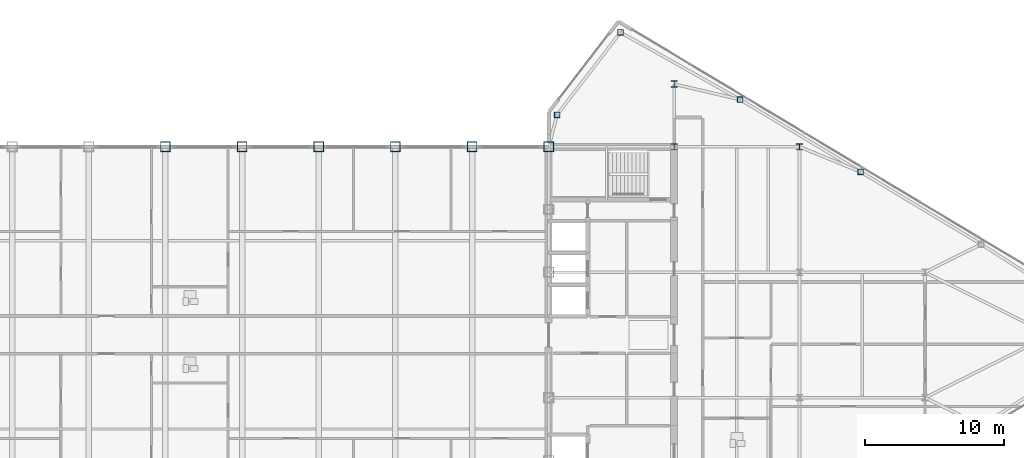
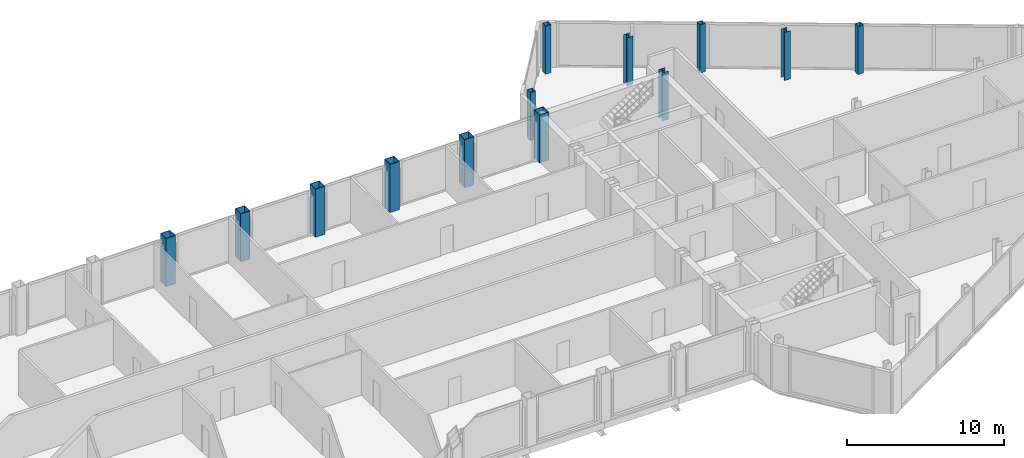
# One storey, part 6 of 28: 13 columns.
"""IFC4 building model written with IfcOpenShell, lengths in metres."""

from ifc_helpers import new_model, si_unit, direction, frame, origin, origin_2d, place, context, subcontext, project, spatial, hollow_rectangle, i_section, extrude, source, transform, mapped, material, material_profile, profile_set, type_object, type_shapes, element, save


model = new_model("IFC4")

# Units and contexts
model_context = context("Model", 3, precision=1e-05, world=origin(), true_north=direction((0.0, 1.0)))
body_context = subcontext(model_context, "Body", "Model", "MODEL_VIEW")
ifc_project = project(units=[si_unit("LENGTHUNIT", "METRE"), si_unit("AREAUNIT", "SQUARE_METRE"), si_unit("VOLUMEUNIT", "CUBIC_METRE"), si_unit("PLANEANGLEUNIT", "RADIAN"), si_unit("MASSUNIT", "GRAM", prefix="KILO")], contexts=[model_context])

# Site, building, storey
site_placement = place(None, origin())
site = spatial("IfcSite", under=ifc_project, at=site_placement, CompositionType="ELEMENT")
building_placement = place(site_placement, origin())
building = spatial("IfcBuilding", under=site, at=building_placement, Name="Seokmaru Belvedere", CompositionType="ELEMENT")
storey_placement = place(building_placement, frame((0.0, 0.0, 261.89990234375)))
storey = spatial("IfcBuildingStorey", under=building, at=storey_placement, Name="L69", CompositionType="ELEMENT", Elevation=261.89990234375)

# Columns
ifc_material = material(Name="Steel SM355 (355 MPa)", Category="steel")
ifc_material_profile_1 = material_profile(ifc_material, hollow_rectangle(XDim=0.699951171875, YDim=0.699951171875, WallThickness=0.030029296875, at=origin_2d()), Name="BOX-700x700x30")
ifc_profile_set_1 = profile_set([ifc_material_profile_1], Name="Steel SM355 (355 MPa)")
column_type_1 = type_object("IfcColumnType", Name="Upper Spine Column BOX-700", PredefinedType="COLUMN", material=ifc_profile_set_1)
shared_shape_1 = source(origin(), body_context, "Body", "SweptSolid", [
    extrude(hollow_rectangle(XDim=0.699951171875, YDim=0.699951171875, WallThickness=0.030029296875, at=origin_2d()), origin(), (0.0, 0.0, 1.0), 3.75),
])
type_shapes(column_type_1, [shared_shape_1])
for number, where, z_axis, x_axis, name in (
    (1, (27.5, 13.5, 0.0), (0.0, 0.0, 1.0), (1.0, 0.0, 0.0), "L69 Column ES6"),
    (2, (0.0, 13.5, 0.0), (0.0, 0.0, 1.0), (1.0, 0.0, 0.0), "L69 Column BRN_5"),
    (3, (5.5, 13.5, 0.0), (0.0, 0.0, 1.0), (1.0, 0.0, 0.0), "L69 Column BRN_6"),
    (4, (11.0, 13.5, 0.0), (0.0, 0.0, 1.0), (1.0, 0.0, 0.0), "L69 Column BRN_7"),
    (5, (16.5, 13.5, 0.0), (0.0, 0.0, 1.0), (1.0, 0.0, 0.0), "L69 Column BRN_8"),
    (6, (22.0, 13.5, 0.0), (0.0, 0.0, 1.0), (1.0, 0.0, 0.0), "L69 Column BRN_9"),
):
    element("IfcColumn", number, at=place(storey_placement, frame(where, z_axis=z_axis, x_axis=x_axis)), inside=storey, type_object=column_type_1, Name=name, PredefinedType="COLUMN", context=body_context, shape_type="MappedRepresentation", body=[
        mapped(shared_shape_1, transform((0.0, 0.0, 0.0), scale=1.0)),
    ])
ifc_material_profile_2 = material_profile(ifc_material, i_section(OverallWidth=0.449951171875, OverallDepth=0.449951171875, WebThickness=0.01611328125, FlangeThickness=0.02490234375, at=origin_2d()), Name="H-450x450x16x25")
ifc_profile_set_2 = profile_set([ifc_material_profile_2], Name="Steel SM355 (355 MPa)")
column_type_2 = type_object("IfcColumnType", Name="Sky-Gate Column H-450", PredefinedType="COLUMN", material=ifc_profile_set_2)
shared_shape_2 = source(origin(), body_context, "Body", "SweptSolid", [
    extrude(i_section(OverallWidth=0.449951171875, OverallDepth=0.449951171875, WebThickness=0.01611328125, FlangeThickness=0.02490234375, at=origin_2d()), origin(), (0.0, 0.0, 1.0), 3.75),
])
type_shapes(column_type_2, [shared_shape_2])
for number, where, z_axis, x_axis, name in (
    (7, (36.5, 13.5, 0.0), (0.0, 0.0, 1.0), (1.0, 0.0, 0.0), "L69 Column EC3"),
    (8, (36.5, 18.0, 0.0), (0.0, 0.0, 1.0), (1.0, 0.0, 0.0), "L69 Column EC4"),
    (9, (45.5, 13.5, 0.0), (0.0, 0.0, 1.0), (1.0, 0.0, 0.0), "L69 Column EG5_4"),
):
    element("IfcColumn", number, at=place(storey_placement, frame(where, z_axis=z_axis, x_axis=x_axis)), inside=storey, type_object=column_type_2, Name=name, PredefinedType="COLUMN", context=body_context, shape_type="MappedRepresentation", body=[
        mapped(shared_shape_2, transform((0.0, 0.0, 0.0), scale=1.0)),
    ])
ifc_material_profile_3 = material_profile(ifc_material, hollow_rectangle(XDim=0.39990234375, YDim=0.39990234375, WallThickness=0.01611328125, at=origin_2d()), Name="HSS-400x400x16")
ifc_profile_set_3 = profile_set([ifc_material_profile_3], Name="Steel SM355 (355 MPa)")
column_type_3 = type_object("IfcColumnType", Name="Perimeter Facet Column HSS-400", PredefinedType="COLUMN", material=ifc_profile_set_3)
shared_shape_3 = source(origin(), body_context, "Body", "SweptSolid", [
    extrude(hollow_rectangle(XDim=0.39990234375, YDim=0.39990234375, WallThickness=0.01611328125, at=origin_2d()), origin(), (0.0, 0.0, 1.0), 3.75),
])
type_shapes(column_type_3, [shared_shape_3])
for number, where, z_axis, x_axis, name in (
    (10, (32.649658203125, 21.71044921875, 0.0), (0.0, 0.0, 1.0), (1.0, 0.0, 0.0), "L69 Column EF4"),
    (11, (28.10009765625, 15.7958984375, 0.0), (0.0, 0.0, 1.0), (1.0, 0.0, 0.0), "L69 Column EF5"),
    (12, (41.229736328125, 16.888916015625, 0.0), (0.0, 0.0, 1.0), (1.0, 0.0, 0.0), "L69 Column EFLK_N1"),
    (13, (49.8798828125, 11.698974609375, 0.0), (0.0, 0.0, 1.0), (1.0, 0.0, 0.0), "L69 Column EFLK_N2"),
):
    element("IfcColumn", number, at=place(storey_placement, frame(where, z_axis=z_axis, x_axis=x_axis)), inside=storey, type_object=column_type_3, Name=name, PredefinedType="COLUMN", context=body_context, shape_type="MappedRepresentation", body=[
        mapped(shared_shape_3, transform((0.0, 0.0, 0.0), scale=1.0)),
    ])

save(model, "model.ifc")
